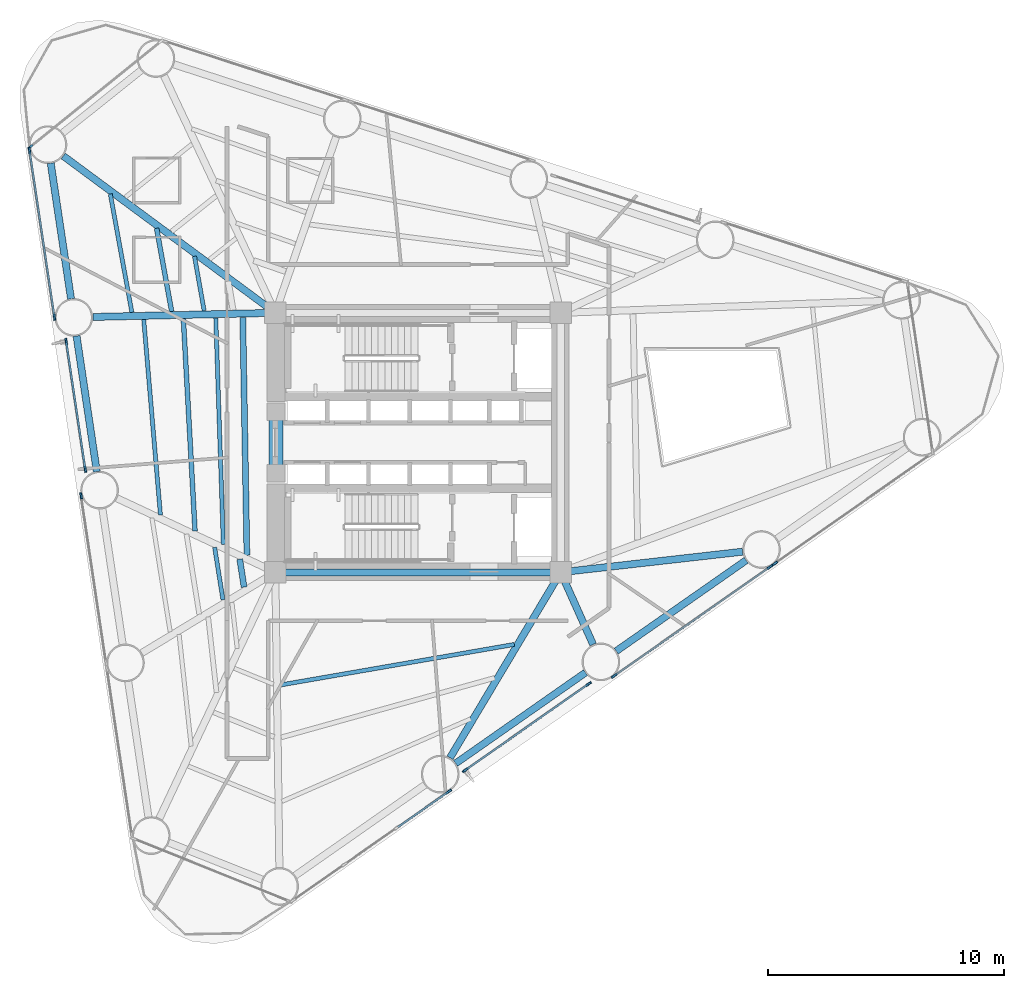
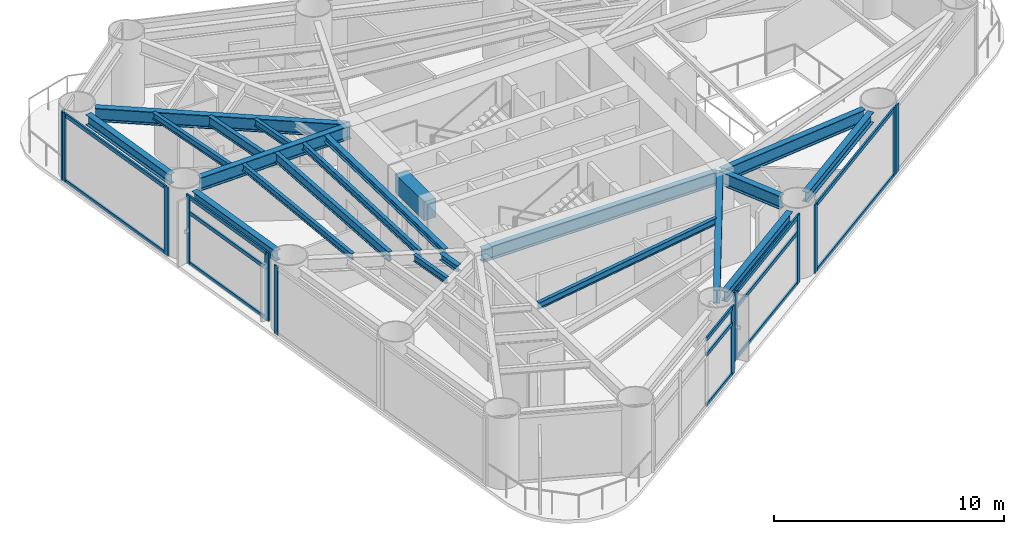
# One storey, part 2 of 9: 25 members, 21 beams, 8 elements without a shape of their own.
"""IFC4 building model written with IfcOpenShell, lengths in metres."""

import ifcopenshell
import ifcopenshell.guid

model = None  # the IFC model being written
_history = None  # IfcOwnerHistory: only IFC2X3 demands one
_inside = {}  # id of a spatial element -> (the spatial element, [elements in it])
_under = {}  # id of a project, library or spatial element -> (it, [spatial elements below it])
_declared = {}  # id of a project -> (the project, [libraries it declares])
_typed = {}  # id of a type object -> (the type object, [elements of that type])
_made_of = {}  # id of a material, layer set ... -> (it, [elements and type objects made of it])


def new_model(schema):
    """Start an empty IFC model of exactly this schema.

    Asked for "IFC4X3", IfcOpenShell would pick the latest addendum, in which some entities
    have other attributes; the version numbers below select the first issue.
    IFC2X3 requires an IfcOwnerHistory on every rooted entity: one is made here for all.
    """
    global model, _history
    if schema == "IFC4X3":
        model = ifcopenshell.file(schema_version=(4, 3, 0, 0))
    else:
        model = ifcopenshell.file(schema=schema)
    _inside.clear()
    _under.clear()
    _declared.clear()
    _typed.clear()
    _made_of.clear()
    _history = None
    if model.schema == "IFC2X3":
        org = make("IfcOrganization", Name="unknown")
        user = make(
            "IfcPersonAndOrganization",
            ThePerson=make("IfcPerson", FamilyName="unknown"),
            TheOrganization=org,
        )
        app = make(
            "IfcApplication",
            ApplicationDeveloper=org,
            Version="unknown",
            ApplicationFullName="unknown",
            ApplicationIdentifier="unknown",
        )
        _history = make(
            "IfcOwnerHistory",
            OwningUser=user,
            OwningApplication=app,
            ChangeAction="ADDED",
            CreationDate=0,
        )
    return model


def make(cls, **values):
    """One entity of the class cls with the attributes given. An attribute that is None is left unset."""
    return model.create_entity(
        cls, **{name: value for name, value in values.items() if value is not None}
    )


def rooted(cls, **values):
    """An entity with a GlobalId (a new one), such as an element, a storey or a relation."""
    return make(cls, GlobalId=ifcopenshell.guid.new(), OwnerHistory=_history, **values)


def si_unit(unit_type, name, prefix=None):
    """IfcSIUnit, for example si_unit("LENGTHUNIT", "METRE", prefix="MILLI")."""
    return make("IfcSIUnit", UnitType=unit_type, Prefix=prefix, Name=name)


def assignment(units):
    """IfcUnitAssignment: the units of a project."""
    return None if units is None else make("IfcUnitAssignment", Units=units)


def point(xyz):
    """IfcCartesianPoint."""
    return None if xyz is None else make("IfcCartesianPoint", Coordinates=xyz)


def direction(xyz):
    """IfcDirection."""
    return None if xyz is None else make("IfcDirection", DirectionRatios=xyz)


def frame(location, z_axis=None, x_axis=None):
    """IfcAxis2Placement3D, a coordinate frame: its origin and axes. An axis left out is left unset."""
    return make(
        "IfcAxis2Placement3D",
        Location=point(location),
        Axis=direction(z_axis),
        RefDirection=direction(x_axis),
    )


def frame_2d(location, x_axis=None):
    """IfcAxis2Placement2D, a coordinate frame in the plane: its origin and x axis."""
    return make(
        "IfcAxis2Placement2D", Location=point(location), RefDirection=direction(x_axis)
    )


def origin():
    """The frame at (0, 0, 0) with its axes left unset."""
    return frame((0.0, 0.0, 0.0))


def origin_2d():
    """The frame at (0, 0) in the plane with its x axis left unset."""
    return frame_2d((0.0, 0.0))


def place(relative_to, where):
    """IfcLocalPlacement: puts the frame where relative to a parent placement (None: the world)."""
    return make(
        "IfcLocalPlacement", PlacementRelTo=relative_to, RelativePlacement=where
    )


def context(
    kind, dimensions, precision=None, world=None, true_north=None, identifier=None
):
    """IfcGeometricRepresentationContext, for example the 3D "Model" context."""
    return make(
        "IfcGeometricRepresentationContext",
        ContextIdentifier=identifier,
        ContextType=kind,
        CoordinateSpaceDimension=dimensions,
        Precision=precision,
        WorldCoordinateSystem=world,
        TrueNorth=true_north,
    )


def subcontext(parent, identifier, kind, view, scale=None):
    """IfcGeometricRepresentationSubContext, for example "Body" below "Model"."""
    return make(
        "IfcGeometricRepresentationSubContext",
        ContextIdentifier=identifier,
        ContextType=kind,
        ParentContext=parent,
        TargetScale=scale,
        TargetView=view,
    )


def project(units=None, contexts=None):
    """IfcProject with its units and contexts."""
    return rooted(
        "IfcProject",
        Name="project",
        RepresentationContexts=contexts,
        UnitsInContext=assignment(units),
    )


def spatial(cls, under=None, at=None, **own):
    """A site, building, storey or space (cls), placed at a placement, below another one or the project."""
    s = rooted(cls, ObjectPlacement=at, **own)
    if under is not None:
        _under.setdefault(under.id(), (under, []))[1].append(s)
    return s


def profile(cls, at=None, kind="AREA", **sizes):
    """A parametric profile (cls). Its sizes go by their IFC names, for example OverallWidth=200.0."""
    return make(cls, ProfileType=kind, Position=at, **sizes)


def rectangle(**sizes):
    """IfcRectangleProfileDef."""
    return profile("IfcRectangleProfileDef", **sizes)


def i_section(**sizes):
    """IfcIShapeProfileDef."""
    return profile("IfcIShapeProfileDef", **sizes)


def extrude(swept, where, along, depth):
    """IfcExtrudedAreaSolid: the profile swept, set in the frame where, extruded along a direction by depth."""
    return make(
        "IfcExtrudedAreaSolid",
        SweptArea=swept,
        Position=where,
        ExtrudedDirection=direction(along),
        Depth=depth,
    )


def shape(context_of_items, identifier, shape_type, items):
    """IfcShapeRepresentation: the items that make up one representation, for example the "Body"."""
    return make(
        "IfcShapeRepresentation",
        ContextOfItems=context_of_items,
        RepresentationIdentifier=identifier,
        RepresentationType=shape_type,
        Items=items,
    )


def source(mapping_origin, context_of_items, identifier, shape_type, items):
    """IfcRepresentationMap: a shape defined once, which mapped items show again and again."""
    return make(
        "IfcRepresentationMap",
        MappingOrigin=mapping_origin,
        MappedRepresentation=shape(context_of_items, identifier, shape_type, items),
    )


def transform(
    local_origin,
    x_axis=None,
    y_axis=None,
    z_axis=None,
    scale=None,
    scale2=None,
    scale3=None,
    uniform=True,
):
    """IfcCartesianTransformationOperator3D, or its non-uniform kind. x_axis, y_axis, z_axis: its Axis1, 2, 3."""
    if uniform:
        return make(
            "IfcCartesianTransformationOperator3D",
            Axis1=direction(x_axis),
            Axis2=direction(y_axis),
            LocalOrigin=point(local_origin),
            Scale=scale,
            Axis3=direction(z_axis),
        )
    return make(
        "IfcCartesianTransformationOperator3DnonUniform",
        Axis1=direction(x_axis),
        Axis2=direction(y_axis),
        LocalOrigin=point(local_origin),
        Scale=scale,
        Axis3=direction(z_axis),
        Scale2=scale2,
        Scale3=scale3,
    )


def mapped(mapping_source, mapping_target):
    """IfcMappedItem: shows the shape of a source again, moved by a transform."""
    return make(
        "IfcMappedItem", MappingSource=mapping_source, MappingTarget=mapping_target
    )


def material(Name=None, Category=None):
    """IfcMaterial."""
    return make("IfcMaterial", Name=Name, Category=Category)


def layer(
    of_material, thickness, ventilated=None, Name=None, Category=None, Priority=None
):
    """IfcMaterialLayer: one layer of a wall or slab, of a material (None: an air gap)."""
    return make(
        "IfcMaterialLayer",
        Material=of_material,
        LayerThickness=thickness,
        IsVentilated=ventilated,
        Name=Name,
        Category=Category,
        Priority=Priority,
    )


def layer_set(layers, Name=None):
    """IfcMaterialLayerSet."""
    return make("IfcMaterialLayerSet", MaterialLayers=layers, LayerSetName=Name)


def material_profile(
    of_material, cross_section, Name=None, Category=None, Priority=None
):
    """IfcMaterialProfile: a cross section and its material."""
    return make(
        "IfcMaterialProfile",
        Name=Name,
        Material=of_material,
        Profile=cross_section,
        Priority=Priority,
        Category=Category,
    )


def profile_set(profiles, Name=None, composite=None):
    """IfcMaterialProfileSet."""
    return make(
        "IfcMaterialProfileSet",
        Name=Name,
        MaterialProfiles=profiles,
        CompositeProfile=composite,
    )


def made_of(thing, what):
    """Note that an element or type object is made of a material, layer set ...; save() writes the relation."""
    if what is not None:
        _made_of.setdefault(what.id(), (what, []))[1].append(thing)
    return thing


def type_object(cls, material=None, **own):
    """A type object (cls), such as IfcWallType, which elements share."""
    return made_of(rooted(cls, **own), material)


def element(
    cls,
    number,
    at=None,
    inside=None,
    cuts=None,
    type_object=None,
    material=None,
    context=None,
    identifier="Body",
    shape_type=None,
    held_by="IfcProductDefinitionShape",
    body=None,
    shapes=None,
    **own,
):
    """One element of the class cls, such as IfcWall. Its Tag is "e" and its number.

    at: its placement. inside: the storey or other place that contains it. cuts: it is an
    opening in that element (IfcRelVoidsElement). A single representation is given by context,
    identifier, shape_type and body (its items); several are given by shapes. held_by: the class
    of the entity that holds the representations. save() writes the other relations.
    """
    e = rooted(cls, Tag="e%d" % number, ObjectPlacement=at, **own)
    if body is not None:
        shapes = [shape(context, identifier, shape_type, body)]
    if shapes is not None:
        e.Representation = make(held_by, Representations=shapes)
    if inside is not None:
        _inside.setdefault(inside.id(), (inside, []))[1].append(e)
    if cuts is not None:
        rooted(
            "IfcRelVoidsElement", RelatingBuildingElement=cuts, RelatedOpeningElement=e
        )
    if type_object is not None:
        _typed.setdefault(type_object.id(), (type_object, []))[1].append(e)
    return made_of(e, material)


def aggregate(whole, parts):
    """IfcRelAggregates: a whole, such as a stair, and the parts it consists of."""
    return rooted("IfcRelAggregates", RelatingObject=whole, RelatedObjects=parts)


def save(model, path):
    """Write the relations noted so far, then the file.

    IfcRelAggregates (storeys below a building ...), IfcRelContainedInSpatialStructure (elements
    in a storey), IfcRelDefinesByType, IfcRelAssociatesMaterial and IfcRelDeclares: one each for
    every whole, place, type object, material and project.
    """
    for whole, parts in _under.values():
        aggregate(whole, parts)
    for where, things in _inside.values():
        rooted(
            "IfcRelContainedInSpatialStructure",
            RelatedElements=things,
            RelatingStructure=where,
        )
    for kind, things in _typed.values():
        rooted("IfcRelDefinesByType", RelatedObjects=things, RelatingType=kind)
    for what, things in _made_of.values():
        rooted("IfcRelAssociatesMaterial", RelatedObjects=things, RelatingMaterial=what)
    for by, libraries in _declared.values():
        rooted("IfcRelDeclares", RelatingContext=by, RelatedDefinitions=libraries)
    model.write(path)


model = new_model("IFC4")

# Units and contexts
model_context = context("Model", 3, precision=1e-05, world=origin(), true_north=direction((0.0, 1.0)))
body_context = subcontext(model_context, "Body", "Model", "MODEL_VIEW")
ifc_project = project(units=[si_unit("LENGTHUNIT", "METRE"), si_unit("AREAUNIT", "SQUARE_METRE"), si_unit("VOLUMEUNIT", "CUBIC_METRE"), si_unit("PLANEANGLEUNIT", "RADIAN"), si_unit("MASSUNIT", "GRAM", prefix="KILO")], contexts=[model_context])

# Site, building, storey
site_placement = place(None, origin())
site = spatial("IfcSite", under=ifc_project, at=site_placement, CompositionType="ELEMENT")
building_placement = place(site_placement, origin())
building = spatial("IfcBuilding", under=site, at=building_placement, Name="Yunling Apex Tower", CompositionType="ELEMENT")
storey_placement = place(building_placement, frame((0.0, 0.0, 73.550048828125)))
storey = spatial("IfcBuildingStorey", under=building, at=storey_placement, Name="L19", CompositionType="ELEMENT", Elevation=73.550048828125)

# Beams
ifc_material_1 = material(Name="Concrete C60", Category="concrete")
ifc_material_profile_1 = material_profile(ifc_material_1, rectangle(XDim=0.60009765625, YDim=1.0, at=origin_2d()))
ifc_profile_set_1 = profile_set([ifc_material_profile_1], Name="Concrete C60")
beam_type_1 = type_object("IfcBeamType", Name="BC-CPL-1", PredefinedType="BEAM", material=ifc_profile_set_1)
shared_shape_1 = source(origin(), body_context, "Body", "SweptSolid", [
    extrude(rectangle(XDim=0.60009765625, YDim=1.0, at=origin_2d()), origin(), (0.0, 0.0, 1.0), 2.5),
])
beam_1_placement = place(storey_placement, frame((-6.02490234375, -1.25, 3.06494140625), z_axis=(0.0, 1.0, 0.0), x_axis=(-1.0, 0.0, 0.0)))
element("IfcBeam", 1, at=beam_1_placement, inside=storey, type_object=beam_type_1, Name="L19 Core West Portal Coupling Beam", PredefinedType="BEAM", context=body_context, shape_type="MappedRepresentation", body=[
    mapped(shared_shape_1, transform((0.0, 0.0, 0.0), scale=1.0)),
])
ifc_material_2 = material(Name="Steel Q355B", Category="steel")
ifc_material_profile_2 = material_profile(ifc_material_2, i_section(OverallWidth=0.300048828125, OverallDepth=0.699951171875, WebThickness=0.012939453125, FlangeThickness=0.02392578125, FilletRadius=0.02587890625, at=origin_2d()))
ifc_profile_set_2 = profile_set([ifc_material_profile_2], Name="Steel Q355B")
beam_type_2 = type_object("IfcBeamType", Name="BG-PRI-3", PredefinedType="USERDEFINED", material=ifc_profile_set_2)
shared_shape_2 = source(origin(), body_context, "Body", "SweptSolid", [
    extrude(i_section(OverallWidth=0.300048828125, OverallDepth=0.699951171875, WebThickness=0.012939453125, FlangeThickness=0.02392578125, FilletRadius=0.02587890625, at=origin_2d()), origin(), (0.0, 0.0, 1.0), 11.7998046875),
])
beam_2_placement = place(storey_placement, frame((-5.89990234375, -5.5, 3.21484375), z_axis=(1.0, 0.0, 0.0), x_axis=(0.0, 1.0, 0.0)))
element("IfcBeam", 2, at=beam_2_placement, inside=storey, type_object=beam_type_2, Name="L19 Core Ring Tie Beam 1", ObjectType="GIRDER", PredefinedType="USERDEFINED", context=body_context, shape_type="MappedRepresentation", body=[
    mapped(shared_shape_2, transform((0.0, 0.0, 0.0), scale=1.0)),
])
ifc_material_profile_3 = material_profile(ifc_material_2, i_section(OverallWidth=0.300048828125, OverallDepth=0.5400390625, WebThickness=0.011962890625, FlangeThickness=0.02001953125, FilletRadius=0.02392578125, at=origin_2d()))
ifc_profile_set_3 = profile_set([ifc_material_profile_3], Name="Steel Q355B")
beam_type_3 = type_object("IfcBeamType", Name="BP-SPN-1", PredefinedType="SPANDREL", material=ifc_profile_set_3)
shared_shape_3 = source(origin(), body_context, "Body", "SweptSolid", [
    extrude(i_section(OverallWidth=0.300048828125, OverallDepth=0.5400390625, WebThickness=0.011962890625, FlangeThickness=0.02001953125, FilletRadius=0.02392578125, at=origin_2d()), origin(), (0.0, 0.0, 1.0), 6.721435546875),
])
for number, where, z_axis, x_axis, name in (
    (3, (1.59228515625, -13.60302734375, 3.294921875), (0.81955772083, 0.572996633697, 0.0), (-0.572996633697, 0.81955772083, 0.0), "L19 Perimeter Spandrel Beam 2"),
    (4, (8.40234375, -8.841796875, 3.294921875), (0.81955772083, 0.572996633697, 0.0), (-0.572996633697, 0.81955772083, 0.0), "L19 Perimeter Spandrel Beam 3"),
):
    element("IfcBeam", number, at=place(storey_placement, frame(where, z_axis=z_axis, x_axis=x_axis)), inside=storey, type_object=beam_type_3, Name=name, PredefinedType="SPANDREL", context=body_context, shape_type="MappedRepresentation", body=[
        mapped(shared_shape_3, transform((0.0, 0.0, 0.0), scale=1.0)),
    ])
shared_shape_4 = source(origin(), body_context, "Body", "SweptSolid", [
    extrude(i_section(OverallWidth=0.300048828125, OverallDepth=0.5400390625, WebThickness=0.011962890625, FlangeThickness=0.02001953125, FilletRadius=0.02392578125, at=origin_2d()), origin(), (0.0, 0.0, 1.0), 5.81689453125),
])
for number, where, z_axis, x_axis, name in (
    (5, (-15.57177734375, 11.84423828125, 3.294921875), (0.147823230204, -0.989013797989, 0.0), (0.989013797989, 0.147823230204, 0.0), "L19 Perimeter Spandrel Beam 11"),
    (6, (-14.477294921875, 4.5205078125, 3.294921875), (0.147823230204, -0.989013797989, 0.0), (0.989013797989, 0.147823230204, 0.0), "L19 Perimeter Spandrel Beam 12"),
):
    element("IfcBeam", number, at=place(storey_placement, frame(where, z_axis=z_axis, x_axis=x_axis)), inside=storey, type_object=beam_type_3, Name=name, PredefinedType="SPANDREL", context=body_context, shape_type="MappedRepresentation", body=[
        mapped(shared_shape_4, transform((0.0, 0.0, 0.0), scale=1.0)),
    ])
shared_shape_5 = source(origin(), body_context, "Body", "SweptSolid", [
    extrude(i_section(OverallWidth=0.300048828125, OverallDepth=0.699951171875, WebThickness=0.012939453125, FlangeThickness=0.02392578125, FilletRadius=0.02587890625, at=origin_2d()), origin(), (0.0, 0.0, 1.0), 9.078857421875),
])
beam_3_placement = place(storey_placement, frame((1.355712890625, -13.3642578125, 3.21484375), z_axis=(0.512544819157, 0.858660473269, 0.0), x_axis=(-0.858660473269, 0.512544819157, 0.0)))
element("IfcBeam", 7, at=beam_3_placement, inside=storey, type_object=beam_type_2, Name="L19 Radial Primary Girder R02", ObjectType="GIRDER", PredefinedType="USERDEFINED", context=body_context, shape_type="MappedRepresentation", body=[
    mapped(shared_shape_5, transform((0.0, 0.0, 0.0), scale=1.0)),
])
shared_shape_6 = source(origin(), body_context, "Body", "SweptSolid", [
    extrude(i_section(OverallWidth=0.300048828125, OverallDepth=0.699951171875, WebThickness=0.012939453125, FlangeThickness=0.02392578125, FilletRadius=0.02587890625, at=origin_2d()), origin(), (0.0, 0.0, 1.0), 3.272705078125),
])
beam_4_placement = place(storey_placement, frame((7.421142578125, -8.5595703125, 3.21484375), z_axis=(-0.408946662986, 0.912558286814, 0.0), x_axis=(-0.912558286814, -0.408946662986, 0.0)))
element("IfcBeam", 8, at=beam_4_placement, inside=storey, type_object=beam_type_2, Name="L19 Radial Primary Girder R03", ObjectType="GIRDER", PredefinedType="USERDEFINED", context=body_context, shape_type="MappedRepresentation", body=[
    mapped(shared_shape_6, transform((0.0, 0.0, 0.0), scale=1.0)),
])
shared_shape_7 = source(origin(), body_context, "Body", "SweptSolid", [
    extrude(i_section(OverallWidth=0.300048828125, OverallDepth=0.699951171875, WebThickness=0.012939453125, FlangeThickness=0.02392578125, FilletRadius=0.02587890625, at=origin_2d()), origin(), (0.0, 0.0, 1.0), 7.677978515625),
])
beam_5_placement = place(storey_placement, frame((13.758544921875, -4.62646484375, 3.21484375), z_axis=(-0.993640958951, -0.112595047382, 0.0), x_axis=(0.112595047382, -0.993640958951, 0.0)))
element("IfcBeam", 9, at=beam_5_placement, inside=storey, type_object=beam_type_2, Name="L19 Radial Primary Girder R04", ObjectType="GIRDER", PredefinedType="USERDEFINED", context=body_context, shape_type="MappedRepresentation", body=[
    mapped(shared_shape_7, transform((0.0, 0.0, 0.0), scale=1.0)),
])
shared_shape_8 = source(origin(), body_context, "Body", "SweptSolid", [
    extrude(i_section(OverallWidth=0.300048828125, OverallDepth=0.699951171875, WebThickness=0.012939453125, FlangeThickness=0.02392578125, FilletRadius=0.02587890625, at=origin_2d()), origin(), (0.0, 0.0, 1.0), 11.101318359375),
])
beam_6_placement = place(storey_placement, frame((-15.03955078125, 12.14892578125, 3.21484375), z_axis=(0.803988254112, -0.594645177606, 0.0), x_axis=(0.594645177606, 0.803988254112, 0.0)))
element("IfcBeam", 10, at=beam_6_placement, inside=storey, type_object=beam_type_2, Name="L19 Radial Primary Girder R11", ObjectType="GIRDER", PredefinedType="USERDEFINED", context=body_context, shape_type="MappedRepresentation", body=[
    mapped(shared_shape_8, transform((0.0, 0.0, 0.0), scale=1.0)),
])
shared_shape_9 = source(origin(), body_context, "Body", "SweptSolid", [
    extrude(i_section(OverallWidth=0.300048828125, OverallDepth=0.699951171875, WebThickness=0.012939453125, FlangeThickness=0.02392578125, FilletRadius=0.02587890625, at=origin_2d()), origin(), (0.0, 0.0, 1.0), 7.658935546875),
])
beam_7_placement = place(storey_placement, frame((-13.786865234375, 5.32421875, 3.21484375), z_axis=(0.999741687414, 0.022727922173, 0.0), x_axis=(-0.022727922173, 0.999741687414, 0.0)))
element("IfcBeam", 11, at=beam_7_placement, inside=storey, type_object=beam_type_2, Name="L19 Radial Primary Girder R12", ObjectType="GIRDER", PredefinedType="USERDEFINED", context=body_context, shape_type="MappedRepresentation", body=[
    mapped(shared_shape_9, transform((0.0, 0.0, 0.0), scale=1.0)),
])
ifc_material_profile_4 = material_profile(ifc_material_2, i_section(OverallWidth=0.175048828125, OverallDepth=0.35009765625, WebThickness=0.007080078125, FlangeThickness=0.010986328125, FilletRadius=0.013916015625, at=origin_2d()))
ifc_profile_set_4 = profile_set([ifc_material_profile_4], Name="Steel Q355B")
beam_type_4 = type_object("IfcBeamType", Name="BJ-JST-1", PredefinedType="JOIST", material=ifc_profile_set_4)
shared_shape_10 = source(origin(), body_context, "Body", "SweptSolid", [
    extrude(i_section(OverallWidth=0.175048828125, OverallDepth=0.35009765625, WebThickness=0.007080078125, FlangeThickness=0.010986328125, FilletRadius=0.013916015625, at=origin_2d()), origin(), (0.0, 0.0, 1.0), 10.057861328125),
])
beam_8_placement = place(storey_placement, frame((-5.826904296875, -10.276611328125, 3.389892578125), z_axis=(0.985298923649, 0.170839196488, 0.0), x_axis=(-0.170839196488, 0.985298923649, 0.0)))
element("IfcBeam", 12, at=beam_8_placement, inside=storey, type_object=beam_type_4, Name="L19 Composite Floor Joist BJ3-1", PredefinedType="JOIST", context=body_context, shape_type="MappedRepresentation", body=[
    mapped(shared_shape_10, transform((0.0, 0.0, 0.0), scale=1.0)),
])
ifc_material_profile_5 = material_profile(ifc_material_2, i_section(OverallWidth=0.199951171875, OverallDepth=0.5, WebThickness=0.010009765625, FlangeThickness=0.01611328125, FilletRadius=0.02001953125, at=origin_2d()))
ifc_profile_set_5 = profile_set([ifc_material_profile_5], Name="Steel Q355B")
beam_type_5 = type_object("IfcBeamType", Name="BS-SEC-2", PredefinedType="BEAM", material=ifc_profile_set_5)
shared_shape_11 = source(origin(), body_context, "Body", "SweptSolid", [
    extrude(i_section(OverallWidth=0.199951171875, OverallDepth=0.5, WebThickness=0.010009765625, FlangeThickness=0.01611328125, FilletRadius=0.02001953125, at=origin_2d()), origin(), (0.0, 0.0, 1.0), 3.5859375),
])
beam_9_placement = place(storey_placement, frame((-11.083984375, 9.0869140625, 3.31494140625), z_axis=(0.177830877335, -0.984061064704, 0.0), x_axis=(0.984061064704, 0.177830877335, 0.0)))
element("IfcBeam", 13, at=beam_9_placement, inside=storey, type_object=beam_type_5, Name="L19 Composite Floor Beam BS-11", PredefinedType="BEAM", context=body_context, shape_type="MappedRepresentation", body=[
    mapped(shared_shape_11, transform((0.0, 0.0, 0.0), scale=1.0)),
])
shared_shape_12 = source(origin(), body_context, "Body", "SweptSolid", [
    extrude(i_section(OverallWidth=0.175048828125, OverallDepth=0.35009765625, WebThickness=0.007080078125, FlangeThickness=0.010986328125, FilletRadius=0.013916015625, at=origin_2d()), origin(), (0.0, 0.0, 1.0), 5.102294921875),
])
beam_10_placement = place(storey_placement, frame((-13.047119140625, 10.539306640625, 3.389892578125), z_axis=(0.179533864947, -0.983751793562, 0.0), x_axis=(0.983751793562, 0.179533864947, 0.0)))
element("IfcBeam", 14, at=beam_10_placement, inside=storey, type_object=beam_type_4, Name="L19 Composite Floor Joist BJ1-11", PredefinedType="JOIST", context=body_context, shape_type="MappedRepresentation", body=[
    mapped(shared_shape_12, transform((0.0, 0.0, 0.0), scale=1.0)),
])
shared_shape_13 = source(origin(), body_context, "Body", "SweptSolid", [
    extrude(i_section(OverallWidth=0.175048828125, OverallDepth=0.35009765625, WebThickness=0.007080078125, FlangeThickness=0.010986328125, FilletRadius=0.013916015625, at=origin_2d()), origin(), (0.0, 0.0, 1.0), 2.34521484375),
])
beam_11_placement = place(storey_placement, frame((-9.477783203125, 7.898681640625, 3.389892578125), z_axis=(0.174889813897, -0.984588011808, 0.0), x_axis=(0.984588011808, 0.174889813897, 0.0)))
element("IfcBeam", 15, at=beam_11_placement, inside=storey, type_object=beam_type_4, Name="L19 Composite Floor Joist BJ3-11", PredefinedType="JOIST", context=body_context, shape_type="MappedRepresentation", body=[
    mapped(shared_shape_13, transform((0.0, 0.0, 0.0), scale=1.0)),
])
shared_shape_14 = source(origin(), body_context, "Body", "SweptSolid", [
    extrude(i_section(OverallWidth=0.199951171875, OverallDepth=0.5, WebThickness=0.010009765625, FlangeThickness=0.01611328125, FilletRadius=0.02001953125, at=origin_2d()), origin(), (0.0, 0.0, 1.0), 9.018310546875),
])
beam_12_placement = place(storey_placement, frame((-9.94970703125, 5.25146484375, 3.31494140625), z_axis=(0.054955731572, -0.998488791909, 0.0), x_axis=(0.998488791909, 0.054955731572, 0.0)))
element("IfcBeam", 16, at=beam_12_placement, inside=storey, type_object=beam_type_5, Name="L19 Composite Floor Beam BS-12", PredefinedType="BEAM", context=body_context, shape_type="MappedRepresentation", body=[
    mapped(shared_shape_14, transform((0.0, 0.0, 0.0), scale=1.0)),
])
shared_shape_15 = source(origin(), body_context, "Body", "SweptSolid", [
    extrude(i_section(OverallWidth=0.175048828125, OverallDepth=0.35009765625, WebThickness=0.007080078125, FlangeThickness=0.010986328125, FilletRadius=0.013916015625, at=origin_2d()), origin(), (0.0, 0.0, 1.0), 8.313720703125),
])
beam_13_placement = place(storey_placement, frame((-11.62939453125, 5.21337890625, 3.389892578125), z_axis=(0.085220398072, -0.996362124808, 0.0), x_axis=(0.996362124808, 0.085220398072, 0.0)))
element("IfcBeam", 17, at=beam_13_placement, inside=storey, type_object=beam_type_4, Name="L19 Composite Floor Joist BJ1-12", PredefinedType="JOIST", context=body_context, shape_type="MappedRepresentation", body=[
    mapped(shared_shape_15, transform((0.0, 0.0, 0.0), scale=1.0)),
])
shared_shape_16 = source(origin(), body_context, "Body", "SweptSolid", [
    extrude(i_section(OverallWidth=0.175048828125, OverallDepth=0.35009765625, WebThickness=0.007080078125, FlangeThickness=0.010986328125, FilletRadius=0.013916015625, at=origin_2d()), origin(), (0.0, 0.0, 1.0), 9.600341796875),
])
beam_14_placement = place(storey_placement, frame((-8.57470703125, 5.28271484375, 3.389892578125), z_axis=(0.033364787957, -0.999443240472, 0.0), x_axis=(0.999443240472, 0.033364787957, 0.0)))
element("IfcBeam", 18, at=beam_14_placement, inside=storey, type_object=beam_type_4, Name="L19 Composite Floor Joist BJ3-12", PredefinedType="JOIST", context=body_context, shape_type="MappedRepresentation", body=[
    mapped(shared_shape_16, transform((0.0, 0.0, 0.0), scale=1.0)),
])
ifc_material_profile_6 = material_profile(ifc_material_2, i_section(OverallWidth=0.25, OverallDepth=0.340087890625, WebThickness=0.009033203125, FlangeThickness=0.013916015625, FilletRadius=0.01806640625, at=origin_2d()))
ifc_profile_set_6 = profile_set([ifc_material_profile_6], Name="Steel Q355B")
beam_type_6 = type_object("IfcBeamType", Name="BJ-JST-2", PredefinedType="JOIST", material=ifc_profile_set_6)
shared_shape_17 = source(origin(), body_context, "Body", "SweptSolid", [
    extrude(i_section(OverallWidth=0.25, OverallDepth=0.340087890625, WebThickness=0.009033203125, FlangeThickness=0.013916015625, FilletRadius=0.01806640625, at=origin_2d()), origin(), (0.0, 0.0, 1.0), 10.088134765625),
])
beam_15_placement = place(storey_placement, frame((-7.428955078125, 5.30859375, 3.39501953125), z_axis=(0.017255085284, -0.999851119933, 0.0), x_axis=(0.999851119933, 0.017255085284, 0.0)))
element("IfcBeam", 19, at=beam_15_placement, inside=storey, type_object=beam_type_6, Name="L19 Composite Floor Joist BJ2-12", PredefinedType="JOIST", context=body_context, shape_type="MappedRepresentation", body=[
    mapped(shared_shape_17, transform((0.0, 0.0, 0.0), scale=1.0)),
])
shared_shape_18 = source(origin(), body_context, "Body", "SweptSolid", [
    extrude(i_section(OverallWidth=0.175048828125, OverallDepth=0.35009765625, WebThickness=0.007080078125, FlangeThickness=0.010986328125, FilletRadius=0.013916015625, at=origin_2d()), origin(), (0.0, 0.0, 1.0), 2.252685546875),
])
beam_16_placement = place(storey_placement, frame((-8.622802734375, -4.443603515625, 3.389892578125), z_axis=(0.156608129458, -0.987660819203, 0.0), x_axis=(0.987660819203, 0.156608129458, 0.0)))
element("IfcBeam", 20, at=beam_16_placement, inside=storey, type_object=beam_type_4, Name="L19 Composite Floor Joist BJ3-13", PredefinedType="JOIST", context=body_context, shape_type="MappedRepresentation", body=[
    mapped(shared_shape_18, transform((0.0, 0.0, 0.0), scale=1.0)),
])
shared_shape_19 = source(origin(), body_context, "Body", "SweptSolid", [
    extrude(i_section(OverallWidth=0.25, OverallDepth=0.340087890625, WebThickness=0.009033203125, FlangeThickness=0.013916015625, FilletRadius=0.01806640625, at=origin_2d()), origin(), (0.0, 0.0, 1.0), 1.20068359375),
])
beam_17_placement = place(storey_placement, frame((-7.559814453125, -4.94091796875, 3.39501953125), z_axis=(0.154531945298, -0.987987792375, 0.0), x_axis=(0.987987792375, 0.154531945298, 0.0)))
element("IfcBeam", 21, at=beam_17_placement, inside=storey, type_object=beam_type_6, Name="L19 Composite Floor Joist BJ2-13", PredefinedType="JOIST", context=body_context, shape_type="MappedRepresentation", body=[
    mapped(shared_shape_19, transform((0.0, 0.0, 0.0), scale=1.0)),
])

# Curtain wall, member
ifc_material_3 = material(Name="Bronze anodised aluminium", Category="aluminium")
ifc_layer = layer(ifc_material_3, 0.260009765625)
ifc_layer_set = layer_set([ifc_layer], Name="Bronze anodised aluminium")
curtain_wall_type = type_object("IfcCurtainWallType", Name="CW-SYS-2", PredefinedType="NOTDEFINED", material=ifc_layer_set)
curtain_wall_1_placement = place(storey_placement, origin())
curtain_wall_1 = element("IfcCurtainWall", 22, at=curtain_wall_1_placement, inside=storey, type_object=curtain_wall_type, Name="CW-L19-F1-B1", PredefinedType="NOTDEFINED")
ifc_material_profile_7 = material_profile(ifc_material_3, rectangle(XDim=0.0849609375, YDim=0.260009765625, at=origin_2d()))
ifc_profile_set_7 = profile_set([ifc_material_profile_7], Name="Bronze anodised aluminium")
member_type_1 = type_object("IfcMemberType", Name="CW-MUL-2", PredefinedType="MULLION", material=ifc_profile_set_7)
shared_shape_20 = source(origin(), body_context, "Body", "SweptSolid", [
    extrude(rectangle(XDim=0.0849609375, YDim=0.260009765625, at=origin_2d()), origin(), (0.0, 0.0, 1.0), 3.6650390625),
])
member_1_placement = place(storey_placement, frame((1.305419921875, -14.7919921875, -0.050048828125), z_axis=(0.0, 0.0, 1.0), x_axis=(-0.573004358875, 0.819552319691, 0.0)))
member_1 = element("IfcMember", 23, at=member_1_placement, type_object=member_type_1, Name="CW-SYS-2 mullion 4", PredefinedType="MULLION", context=body_context, shape_type="MappedRepresentation", body=[
    mapped(shared_shape_20, transform((0.0, 0.0, 0.0), scale=1.0)),
])

# Curtain wall, members
curtain_wall_2_placement = place(storey_placement, origin())
curtain_wall_2 = element("IfcCurtainWall", 24, at=curtain_wall_2_placement, inside=storey, type_object=curtain_wall_type, Name="CW-L19-F1-B2", PredefinedType="NOTDEFINED")
member_2_placement = place(storey_placement, frame((1.999755859375, -13.8916015625, -0.050048828125), z_axis=(0.0, 0.0, 1.0), x_axis=(-0.573002671888, 0.819553499175, 0.0)))
member_2 = element("IfcMember", 25, at=member_2_placement, type_object=member_type_1, Name="CW-SYS-2 mullion 1", PredefinedType="MULLION", context=body_context, shape_type="MappedRepresentation", body=[
    mapped(shared_shape_20, transform((0.0, 0.0, 0.0), scale=1.0)),
])
member_3_placement = place(storey_placement, frame((7.232177734375, -10.2333984375, -0.050048828125), z_axis=(0.0, 0.0, 1.0), x_axis=(-0.573002671888, 0.819553499175, 0.0)))
member_3 = element("IfcMember", 26, at=member_3_placement, type_object=member_type_1, Name="CW-SYS-2 mullion 2", PredefinedType="MULLION", context=body_context, shape_type="MappedRepresentation", body=[
    mapped(shared_shape_20, transform((0.0, 0.0, 0.0), scale=1.0)),
])

curtain_wall_3_placement = place(storey_placement, origin())
curtain_wall_3 = element("IfcCurtainWall", 27, at=curtain_wall_3_placement, inside=storey, type_object=curtain_wall_type, Name="CW-L19-F1-B3", PredefinedType="NOTDEFINED")
member_4_placement = place(storey_placement, frame((8.31591796875, -9.890380859375, -0.050048828125), z_axis=(0.0, 0.0, 1.0), x_axis=(-0.572996116804, 0.819558082217, 0.0)))
member_4 = element("IfcMember", 28, at=member_4_placement, type_object=member_type_1, Name="CW-SYS-2 mullion 1", PredefinedType="MULLION", context=body_context, shape_type="MappedRepresentation", body=[
    mapped(shared_shape_20, transform((0.0, 0.0, 0.0), scale=1.0)),
])
member_5_placement = place(storey_placement, frame((14.925048828125, -5.26953125, -0.050048828125), z_axis=(0.0, 0.0, 1.0), x_axis=(-0.572996116804, 0.819558082217, 0.0)))
member_5 = element("IfcMember", 29, at=member_5_placement, type_object=member_type_1, Name="CW-SYS-2 mullion 2", PredefinedType="MULLION", context=body_context, shape_type="MappedRepresentation", body=[
    mapped(shared_shape_20, transform((0.0, 0.0, 0.0), scale=1.0)),
])

# Curtain wall, member
curtain_wall_4_placement = place(storey_placement, origin())
curtain_wall_4 = element("IfcCurtainWall", 30, at=curtain_wall_4_placement, inside=storey, type_object=curtain_wall_type, Name="CW-L19-F1-B4", PredefinedType="NOTDEFINED")
member_6_placement = place(storey_placement, frame((15.1259765625, -5.129150390625, -0.050048828125), z_axis=(0.0, 0.0, 1.0), x_axis=(-0.573004358875, 0.819552319691, 0.0)))
member_6 = element("IfcMember", 31, at=member_6_placement, type_object=member_type_1, Name="CW-SYS-2 mullion 1", PredefinedType="MULLION", context=body_context, shape_type="MappedRepresentation", body=[
    mapped(shared_shape_20, transform((0.0, 0.0, 0.0), scale=1.0)),
])
aggregate(curtain_wall_4, [member_6])

curtain_wall_5_placement = place(storey_placement, origin())
curtain_wall_5 = element("IfcCurtainWall", 32, at=curtain_wall_5_placement, inside=storey, type_object=curtain_wall_type, Name="CW-L19-CRN2", PredefinedType="NOTDEFINED")
member_7_placement = place(storey_placement, frame((-16.4375, 12.539306640625, -0.050048828125), z_axis=(0.0, 0.0, 1.0), x_axis=(0.628079941911, -0.778148820322, 0.0)))
member_7 = element("IfcMember", 33, at=member_7_placement, type_object=member_type_1, Name="CW-SYS-2 mullion 2", PredefinedType="MULLION", context=body_context, shape_type="MappedRepresentation", body=[
    mapped(shared_shape_20, transform((0.0, 0.0, 0.0), scale=1.0)),
])
aggregate(curtain_wall_5, [member_7])

# Curtain wall, members
curtain_wall_6_placement = place(storey_placement, origin())
curtain_wall_6 = element("IfcCurtainWall", 34, at=curtain_wall_6_placement, inside=storey, type_object=curtain_wall_type, Name="CW-L19-F3-B1", PredefinedType="NOTDEFINED")
member_8_placement = place(storey_placement, frame((-16.47216796875, 12.388671875, -0.050048828125), z_axis=(0.0, 0.0, 1.0), x_axis=(0.989017400941, 0.147799122579, 0.0)))
member_8 = element("IfcMember", 35, at=member_8_placement, type_object=member_type_1, Name="CW-SYS-2 mullion 1", PredefinedType="MULLION", context=body_context, shape_type="MappedRepresentation", body=[
    mapped(shared_shape_20, transform((0.0, 0.0, 0.0), scale=1.0)),
])
member_9_placement = place(storey_placement, frame((-15.413818359375, 5.307373046875, -0.050048828125), z_axis=(0.0, 0.0, 1.0), x_axis=(0.989017400941, 0.147799122579, 0.0)))
member_9 = element("IfcMember", 36, at=member_9_placement, type_object=member_type_1, Name="CW-SYS-2 mullion 2", PredefinedType="MULLION", context=body_context, shape_type="MappedRepresentation", body=[
    mapped(shared_shape_20, transform((0.0, 0.0, 0.0), scale=1.0)),
])

curtain_wall_7_placement = place(storey_placement, origin())
curtain_wall_7 = element("IfcCurtainWall", 37, at=curtain_wall_7_placement, inside=storey, type_object=curtain_wall_type, Name="CW-L19-F3-B2", PredefinedType="NOTDEFINED")
member_10_placement = place(storey_placement, frame((-14.917236328125, 4.28466796875, -0.050048828125), z_axis=(0.0, 0.0, 1.0), x_axis=(0.98901713531, 0.147800900076, 0.0)))
member_10 = element("IfcMember", 38, at=member_10_placement, type_object=member_type_1, Name="CW-SYS-2 mullion 1", PredefinedType="MULLION", context=body_context, shape_type="MappedRepresentation", body=[
    mapped(shared_shape_20, transform((0.0, 0.0, 0.0), scale=1.0)),
])
member_11_placement = place(storey_placement, frame((-14.107177734375, -1.13525390625, -0.050048828125), z_axis=(0.0, 0.0, 1.0), x_axis=(0.98901713531, 0.147800900076, 0.0)))
member_11 = element("IfcMember", 39, at=member_11_placement, type_object=member_type_1, Name="CW-SYS-2 mullion 2", PredefinedType="MULLION", context=body_context, shape_type="MappedRepresentation", body=[
    mapped(shared_shape_20, transform((0.0, 0.0, 0.0), scale=1.0)),
])

# Curtain wall, member
curtain_wall_8_placement = place(storey_placement, origin())
curtain_wall_8 = element("IfcCurtainWall", 40, at=curtain_wall_8_placement, inside=storey, type_object=curtain_wall_type, Name="CW-L19-F3-B3", PredefinedType="NOTDEFINED")
member_12_placement = place(storey_placement, frame((-14.283203125, -2.258544921875, -0.050048828125), z_axis=(0.0, 0.0, 1.0), x_axis=(0.98901508166, 0.147814641525, 0.0)))
member_12 = element("IfcMember", 41, at=member_12_placement, type_object=member_type_1, Name="CW-SYS-2 mullion 1", PredefinedType="MULLION", context=body_context, shape_type="MappedRepresentation", body=[
    mapped(shared_shape_20, transform((0.0, 0.0, 0.0), scale=1.0)),
])
aggregate(curtain_wall_8, [member_12])

# Member
ifc_material_profile_8 = material_profile(ifc_material_3, rectangle(XDim=0.0849609375, YDim=0.199951171875, at=origin_2d()))
ifc_profile_set_8 = profile_set([ifc_material_profile_8], Name="Bronze anodised aluminium")
member_type_2 = type_object("IfcMemberType", Name="CW-TRN-2", PredefinedType="USERDEFINED", material=ifc_profile_set_8)
shared_shape_21 = source(origin(), body_context, "Body", "SweptSolid", [
    extrude(rectangle(XDim=0.0849609375, YDim=0.199951171875, at=origin_2d()), origin(), (0.0, 0.0, 1.0), 2.59765625),
])
member_13_placement = place(storey_placement, frame((-0.854736328125, -16.30224609375, 0.04248046875), z_axis=(0.819585012743, 0.572957596064, 0.0), x_axis=(-0.572957596064, 0.819585012743, 0.0)))
member_13 = element("IfcMember", 42, at=member_13_placement, type_object=member_type_2, Name="CW-SYS-2 transom 3.1", ObjectType="TRANSOM", PredefinedType="USERDEFINED", context=body_context, shape_type="MappedRepresentation", body=[
    mapped(shared_shape_21, transform((0.0, 0.0, 0.0), scale=1.0)),
])

member_14_placement = place(storey_placement, frame((-0.854736328125, -16.30224609375, 2.71484375), z_axis=(0.819585012743, 0.572957596064, 0.0), x_axis=(-0.572957596064, 0.819585012743, 0.0)))
member_14 = element("IfcMember", 43, at=member_14_placement, type_object=member_type_2, Name="CW-SYS-2 transom 3.2", ObjectType="TRANSOM", PredefinedType="USERDEFINED", context=body_context, shape_type="MappedRepresentation", body=[
    mapped(shared_shape_21, transform((0.0, 0.0, 0.0), scale=1.0)),
])

member_15_placement = place(storey_placement, frame((-0.854736328125, -16.30224609375, 3.5224609375), z_axis=(0.819585012743, 0.572957596064, 0.0), x_axis=(-0.572957596064, 0.819585012743, 0.0)))
member_15 = element("IfcMember", 44, at=member_15_placement, type_object=member_type_2, Name="CW-SYS-2 transom 3.3", ObjectType="TRANSOM", PredefinedType="USERDEFINED", context=body_context, shape_type="MappedRepresentation", body=[
    mapped(shared_shape_21, transform((0.0, 0.0, 0.0), scale=1.0)),
])

aggregate(curtain_wall_1, [member_1, member_13, member_14, member_15])

shared_shape_22 = source(origin(), body_context, "Body", "SweptSolid", [
    extrude(rectangle(XDim=0.0849609375, YDim=0.199951171875, at=origin_2d()), origin(), (0.0, 0.0, 1.0), 6.3076171875),
])
member_16_placement = place(storey_placement, frame((2.03125, -13.86962890625, 0.04248046875), z_axis=(0.819555463581, 0.57299986223, 0.0), x_axis=(-0.57299986223, 0.819555463581, 0.0)))
member_16 = element("IfcMember", 45, at=member_16_placement, type_object=member_type_2, Name="CW-SYS-2 transom 1.1", ObjectType="TRANSOM", PredefinedType="USERDEFINED", context=body_context, shape_type="MappedRepresentation", body=[
    mapped(shared_shape_22, transform((0.0, 0.0, 0.0), scale=1.0)),
])

member_17_placement = place(storey_placement, frame((2.03125, -13.86962890625, 2.71484375), z_axis=(0.819555463581, 0.57299986223, 0.0), x_axis=(-0.57299986223, 0.819555463581, 0.0)))
member_17 = element("IfcMember", 46, at=member_17_placement, type_object=member_type_2, Name="CW-SYS-2 transom 1.2", ObjectType="TRANSOM", PredefinedType="USERDEFINED", context=body_context, shape_type="MappedRepresentation", body=[
    mapped(shared_shape_22, transform((0.0, 0.0, 0.0), scale=1.0)),
])

member_18_placement = place(storey_placement, frame((2.03125, -13.86962890625, 3.5224609375), z_axis=(0.819555463581, 0.57299986223, 0.0), x_axis=(-0.57299986223, 0.819555463581, 0.0)))
member_18 = element("IfcMember", 47, at=member_18_placement, type_object=member_type_2, Name="CW-SYS-2 transom 1.3", ObjectType="TRANSOM", PredefinedType="USERDEFINED", context=body_context, shape_type="MappedRepresentation", body=[
    mapped(shared_shape_22, transform((0.0, 0.0, 0.0), scale=1.0)),
])

aggregate(curtain_wall_2, [member_2, member_3, member_16, member_17, member_18])

shared_shape_23 = source(origin(), body_context, "Body", "SweptSolid", [
    extrude(rectangle(XDim=0.0849609375, YDim=0.199951171875, at=origin_2d()), origin(), (0.0, 0.0, 1.0), 7.98779296875),
])
member_19_placement = place(storey_placement, frame((8.347412109375, -9.868408203125, 0.04248046875), z_axis=(0.819559176955, 0.572994550995, 0.0), x_axis=(-0.572994550995, 0.819559176955, 0.0)))
member_19 = element("IfcMember", 48, at=member_19_placement, type_object=member_type_2, Name="CW-SYS-2 transom 1.1", ObjectType="TRANSOM", PredefinedType="USERDEFINED", context=body_context, shape_type="MappedRepresentation", body=[
    mapped(shared_shape_23, transform((0.0, 0.0, 0.0), scale=1.0)),
])

member_20_placement = place(storey_placement, frame((8.347412109375, -9.868408203125, 3.5224609375), z_axis=(0.819559176955, 0.572994550995, 0.0), x_axis=(-0.572994550995, 0.819559176955, 0.0)))
member_20 = element("IfcMember", 49, at=member_20_placement, type_object=member_type_2, Name="CW-SYS-2 transom 1.2", ObjectType="TRANSOM", PredefinedType="USERDEFINED", context=body_context, shape_type="MappedRepresentation", body=[
    mapped(shared_shape_23, transform((0.0, 0.0, 0.0), scale=1.0)),
])

aggregate(curtain_wall_3, [member_4, member_5, member_19, member_20])

shared_shape_24 = source(origin(), body_context, "Body", "SweptSolid", [
    extrude(rectangle(XDim=0.0849609375, YDim=0.199951171875, at=origin_2d()), origin(), (0.0, 0.0, 1.0), 7.08349609375),
])
member_21_placement = place(storey_placement, frame((-16.466552734375, 12.350830078125, 0.04248046875), z_axis=(0.147826386349, -0.989013326249, 0.0), x_axis=(0.989013326249, 0.147826386349, 0.0)))
member_21 = element("IfcMember", 50, at=member_21_placement, type_object=member_type_2, Name="CW-SYS-2 transom 1.1", ObjectType="TRANSOM", PredefinedType="USERDEFINED", context=body_context, shape_type="MappedRepresentation", body=[
    mapped(shared_shape_24, transform((0.0, 0.0, 0.0), scale=1.0)),
])

member_22_placement = place(storey_placement, frame((-16.466552734375, 12.350830078125, 3.5224609375), z_axis=(0.147826386349, -0.989013326249, 0.0), x_axis=(0.989013326249, 0.147826386349, 0.0)))
member_22 = element("IfcMember", 51, at=member_22_placement, type_object=member_type_2, Name="CW-SYS-2 transom 1.2", ObjectType="TRANSOM", PredefinedType="USERDEFINED", context=body_context, shape_type="MappedRepresentation", body=[
    mapped(shared_shape_24, transform((0.0, 0.0, 0.0), scale=1.0)),
])

aggregate(curtain_wall_6, [member_8, member_9, member_21, member_22])

shared_shape_25 = source(origin(), body_context, "Body", "SweptSolid", [
    extrude(rectangle(XDim=0.0849609375, YDim=0.199951171875, at=origin_2d()), origin(), (0.0, 0.0, 1.0), 5.403564453125),
])
member_23_placement = place(storey_placement, frame((-14.91162109375, 4.246826171875, 0.04248046875), z_axis=(0.147788090943, -0.98901904945, 0.0), x_axis=(0.98901904945, 0.147788090943, 0.0)))
member_23 = element("IfcMember", 52, at=member_23_placement, type_object=member_type_2, Name="CW-SYS-2 transom 1.1", ObjectType="TRANSOM", PredefinedType="USERDEFINED", context=body_context, shape_type="MappedRepresentation", body=[
    mapped(shared_shape_25, transform((0.0, 0.0, 0.0), scale=1.0)),
])

member_24_placement = place(storey_placement, frame((-14.91162109375, 4.246826171875, 2.71484375), z_axis=(0.147788090943, -0.98901904945, 0.0), x_axis=(0.98901904945, 0.147788090943, 0.0)))
member_24 = element("IfcMember", 53, at=member_24_placement, type_object=member_type_2, Name="CW-SYS-2 transom 1.2", ObjectType="TRANSOM", PredefinedType="USERDEFINED", context=body_context, shape_type="MappedRepresentation", body=[
    mapped(shared_shape_25, transform((0.0, 0.0, 0.0), scale=1.0)),
])

member_25_placement = place(storey_placement, frame((-14.91162109375, 4.246826171875, 3.5224609375), z_axis=(0.147788090943, -0.98901904945, 0.0), x_axis=(0.98901904945, 0.147788090943, 0.0)))
member_25 = element("IfcMember", 54, at=member_25_placement, type_object=member_type_2, Name="CW-SYS-2 transom 1.3", ObjectType="TRANSOM", PredefinedType="USERDEFINED", context=body_context, shape_type="MappedRepresentation", body=[
    mapped(shared_shape_25, transform((0.0, 0.0, 0.0), scale=1.0)),
])

aggregate(curtain_wall_7, [member_10, member_11, member_23, member_24, member_25])

save(model, "model.ifc")
